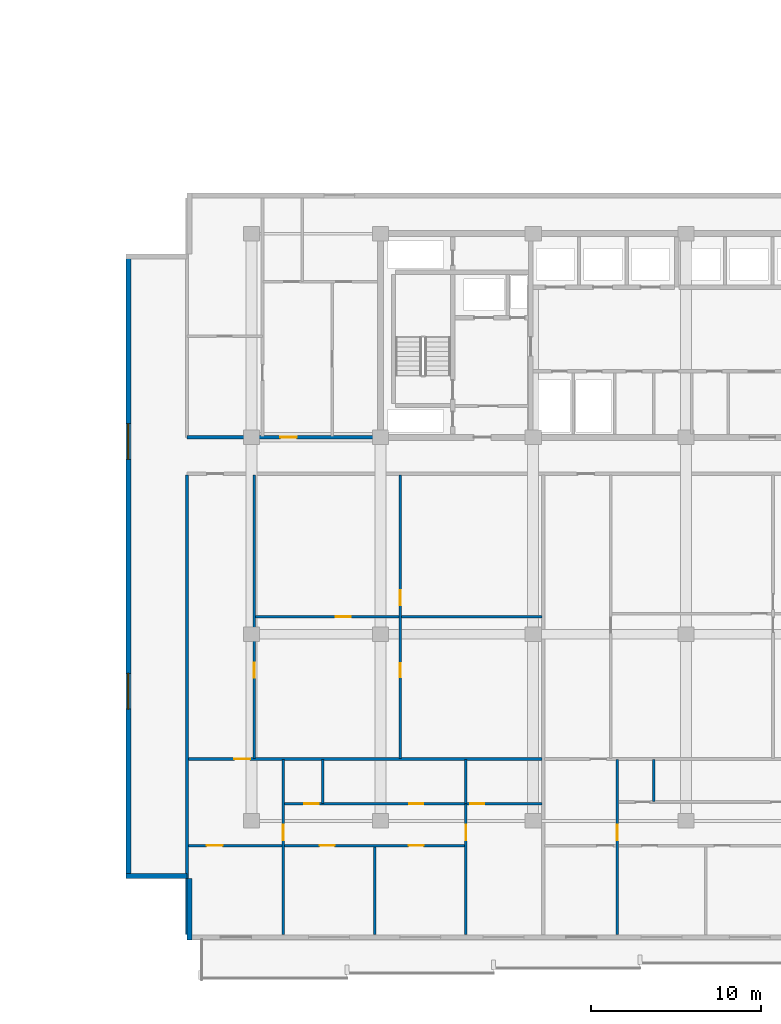
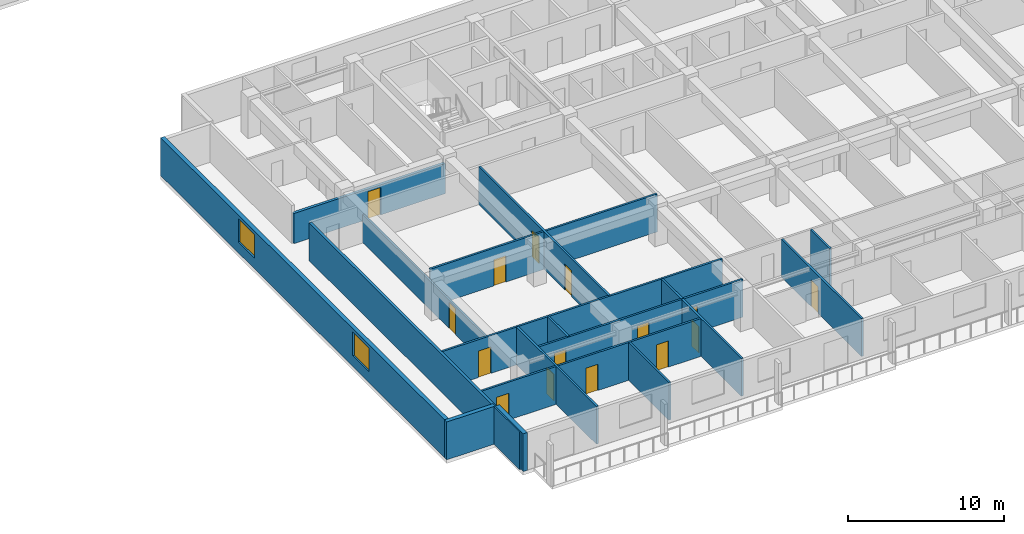
# One storey, part 3 of 23: 18 walls, 15 doors, 2 windows, 17 openings.
"""IFC4 building model written with IfcOpenShell, lengths in metres."""

from ifc_helpers import new_model, si_unit, direction, frame, frame_2d, origin, place, context, subcontext, project, spatial, rectangle, extrude, material, layer, layer_set, type_object, element, fill, save


model = new_model("IFC4")

# Units and contexts
model_context = context("Model", 3, precision=1e-05, world=origin(), true_north=direction((0.0, 1.0)))
body_context = subcontext(model_context, "Body", "Model", "MODEL_VIEW")
ifc_project = project(units=[si_unit("LENGTHUNIT", "METRE"), si_unit("AREAUNIT", "SQUARE_METRE"), si_unit("VOLUMEUNIT", "CUBIC_METRE"), si_unit("PLANEANGLEUNIT", "RADIAN"), si_unit("MASSUNIT", "GRAM", prefix="KILO")], contexts=[model_context])

# Site, building, storey
site_placement = place(None, origin())
site = spatial("IfcSite", under=ifc_project, at=site_placement, CompositionType="ELEMENT")
building_placement = place(site_placement, origin())
building = spatial("IfcBuilding", under=site, at=building_placement, Name="Korimba Cascade Residences", CompositionType="ELEMENT")
storey_placement = place(building_placement, frame((0.0, 0.0, 56.5)))
storey = spatial("IfcBuildingStorey", under=building, at=storey_placement, Name="L15", CompositionType="ELEMENT", Elevation=56.5)

# Wall, openings, windows
ifc_material_1 = material(Name="Precast concrete C40/50", Category="concrete")
ifc_layer_1 = layer(ifc_material_1, 0.300048828125)
ifc_layer_set_1 = layer_set([ifc_layer_1], Name="Precast concrete C40/50")
wall_type_1 = type_object("IfcWallType", Name="EW-STONE-300", PredefinedType="STANDARD", material=ifc_layer_set_1)
wall_1_placement = place(storey_placement, frame((67.25, 29.199951171875, 0.0), z_axis=(0.0, 0.0, 1.0), x_axis=(0.0, -1.0, 0.0)))
wall_1 = element("IfcWall", 1, at=wall_1_placement, inside=storey, type_object=wall_type_1, Name="L15 T2 Perimeter Stone Wall E09", PredefinedType="STANDARD", context=body_context, shape_type="SweptSolid", body=[
    extrude(rectangle(XDim=36.800048828125, YDim=0.300048828125, at=frame_2d((18.39990234375, 0.0))), origin(), (0.0, 0.0, 1.0), 2.969970703125),
])
opening_1_placement = place(wall_1_placement, frame((9.989990234375, 0.0, 0.85009765625)))
opening_1 = element("IfcOpeningElement", 2, at=opening_1_placement, cuts=wall_1, Name="Opening W-03", PredefinedType="OPENING", context=body_context, shape_type="SweptSolid", body=[
    extrude(rectangle(XDim=2.10009765625, YDim=1.85009765625, at=frame_2d((1.050048828125, 0.925048828125))), frame((0.0, 0.16015625, 0.0), z_axis=(0.0, -1.0, 0.0), x_axis=(1.0, 0.0, 0.0)), (0.0, 0.0, 1.0), 0.320068359375),
])
opening_2_placement = place(wall_1_placement, frame((24.7099609375, 0.0, 0.85009765625)))
opening_2 = element("IfcOpeningElement", 3, at=opening_2_placement, cuts=wall_1, Name="Opening W-03", PredefinedType="OPENING", context=body_context, shape_type="SweptSolid", body=[
    extrude(rectangle(XDim=2.10009765625, YDim=1.85009765625, at=frame_2d((1.050048828125, 0.925048828125))), frame((0.0, 0.16015625, 0.0), z_axis=(0.0, -1.0, 0.0), x_axis=(1.0, 0.0, 0.0)), (0.0, 0.0, 1.0), 0.320068359375),
])
ifc_material_2 = material(Name="Double-Glazed Aluminium Window", Category="aluminium")
window_type = type_object("IfcWindowType", Name="WIN-CRN-2100", PartitioningType="DOUBLE_PANEL_HORIZONTAL", PredefinedType="WINDOW", material=ifc_material_2)
window_1_placement = place(opening_1_placement, origin())
window_1 = element("IfcWindow", 4, at=window_1_placement, inside=storey, type_object=window_type, Name="L15 T2 End View Window 9.1", OverallHeight=1.85009765625, OverallWidth=2.10009765625, PartitioningType="DOUBLE_PANEL_HORIZONTAL", PredefinedType="WINDOW", context=body_context, shape_type="SweptSolid", body=[
    extrude(rectangle(XDim=2.10009765625, YDim=1.85009765625, at=frame_2d((1.050048828125, 0.925048828125))), frame((0.0, 0.030029296875, 0.0), z_axis=(0.0, -1.0, 0.0), x_axis=(1.0, 0.0, 0.0)), (0.0, 0.0, 1.0), 0.06005859375),
])
fill(opening_1, window_1)
window_2_placement = place(opening_2_placement, origin())
window_2 = element("IfcWindow", 5, at=window_2_placement, inside=storey, type_object=window_type, Name="L15 T2 End View Window 9.2", OverallHeight=1.85009765625, OverallWidth=2.10009765625, PartitioningType="DOUBLE_PANEL_HORIZONTAL", PredefinedType="WINDOW", context=body_context, shape_type="SweptSolid", body=[
    extrude(rectangle(XDim=2.10009765625, YDim=1.85009765625, at=frame_2d((1.050048828125, 0.925048828125))), frame((0.0, 0.030029296875, 0.0), z_axis=(0.0, -1.0, 0.0), x_axis=(1.0, 0.0, 0.0)), (0.0, 0.0, 1.0), 0.06005859375),
])
fill(opening_2, window_2)

# Walls
for number, where, z_axis, x_axis, name in (
    (6, (67.10009765625, -7.449951171875, 0.0), (0.0, 0.0, 1.0), (1.0, 0.0, 0.0), "L15 T2 Perimeter Stone Wall E10"),
    (7, (70.85009765625, -7.60009765625, 0.0), (0.0, 0.0, 1.0), (0.0, -1.0, 0.0), "L15 T2 Perimeter Stone Wall E11"),
):
    element("IfcWall", number, at=place(storey_placement, frame(where, z_axis=z_axis, x_axis=x_axis)), inside=storey, type_object=wall_type_1, Name=name, PredefinedType="STANDARD", context=body_context, shape_type="SweptSolid", body=[
        extrude(rectangle(XDim=3.599853515625, YDim=0.300048828125, at=frame_2d((1.7998046875, 0.0))), origin(), (0.0, 0.0, 1.0), 2.969970703125),
    ])

# Wall, opening, door
ifc_layer_2 = layer(ifc_material_1, 0.199951171875)
ifc_layer_set_2 = layer_set([ifc_layer_2], Name="Precast concrete C40/50")
wall_type_2 = type_object("IfcWallType", Name="WAL-IT-200", PredefinedType="PARTITIONING", material=ifc_layer_set_2)
wall_2_placement = place(storey_placement, frame((70.699951171875, 18.39990234375, 0.0), z_axis=(0.0, 0.0, 1.0), x_axis=(1.0, 0.0, 0.0)))
wall_2 = element("IfcWall", 8, at=wall_2_placement, inside=storey, type_object=wall_type_2, Name="L15 Partition Wall WAL-L15-T2-FW-S", PredefinedType="PARTITIONING", context=body_context, shape_type="SweptSolid", body=[
    extrude(rectangle(XDim=11.25, YDim=0.199951171875, at=frame_2d((5.625, 0.0))), origin(), (0.0, 0.0, 1.0), 2.3701171875),
])
opening_3_placement = place(wall_2_placement, frame((5.50634765625, 0.0, 0.0)))
opening_3 = element("IfcOpeningElement", 9, at=opening_3_placement, cuts=wall_2, Name="Opening D-UN1", PredefinedType="OPENING", context=body_context, shape_type="SweptSolid", body=[
    extrude(rectangle(XDim=0.949951171875, YDim=2.14990234375, at=frame_2d((0.47509765625, 1.074951171875))), frame((0.0, 0.10986328125, 0.0), z_axis=(0.0, -1.0, 0.0), x_axis=(1.0, 0.0, 0.0)), (0.0, 0.0, 1.0), 0.219970703125),
])
ifc_material_3 = material(Name="Fire-Rated Hardwood Apartment Entrance Door", Category="wood")
door_type_1 = type_object("IfcDoorType", Name="DR-FD60-950", OperationType="NOTDEFINED", PredefinedType="DOOR", material=ifc_material_3)
door_1_placement = place(opening_3_placement, origin())
door_1 = element("IfcDoor", 10, at=door_1_placement, inside=storey, type_object=door_type_1, Name="L15-T2-FW Entrance Door", OperationType="SINGLE_SWING_LEFT", OverallHeight=2.14990234375, OverallWidth=0.949951171875, PredefinedType="DOOR", context=body_context, shape_type="SweptSolid", body=[
    extrude(rectangle(XDim=0.949951171875, YDim=2.14990234375, at=frame_2d((0.47509765625, 1.074951171875))), frame((0.0, 0.02490234375, 0.0), z_axis=(0.0, -1.0, 0.0), x_axis=(1.0, 0.0, 0.0)), (0.0, 0.0, 1.0), 0.050048828125),
])
fill(opening_3, door_1)

# Wall
wall_3_placement = place(storey_placement, frame((70.699951171875, -10.89990234375, 0.0), z_axis=(0.0, 0.0, 1.0), x_axis=(0.0, 1.0, 0.0)))
element("IfcWall", 11, at=wall_3_placement, inside=storey, type_object=wall_type_2, Name="L15 Partition Wall WAL-L15-T2-BNDWL", PredefinedType="PARTITIONING", context=body_context, shape_type="SweptSolid", body=[
    extrude(rectangle(XDim=27.06982421875, YDim=0.199951171875, at=frame_2d((13.534912109375, 0.0))), origin(), (0.0, 0.0, 1.0), 2.969970703125),
])

# Wall, openings, doors
ifc_material_4 = material(Name="Insulated Acoustic Stud Partition", Category="gypsum")
ifc_layer_3 = layer(ifc_material_4, 0.14990234375)
ifc_layer_set_3 = layer_set([ifc_layer_3], Name="Insulated Acoustic Stud Partition")
wall_type_3 = type_object("IfcWallType", Name="WAL-PART-150", PredefinedType="PARTITIONING", material=ifc_layer_set_3)
wall_4_placement = place(storey_placement, frame((83.269287109375, -0.510009765625, 0.0), z_axis=(0.0, 0.0, 1.0), x_axis=(0.0, 1.0, 0.0)))
wall_4 = element("IfcWall", 12, at=wall_4_placement, inside=storey, type_object=wall_type_3, Name="L15 Partition Wall WAL-L15-T2-U01-FMV", PredefinedType="PARTITIONING", context=body_context, shape_type="SweptSolid", body=[
    extrude(rectangle(XDim=16.699951171875, YDim=0.14990234375, at=frame_2d((8.35009765625, 0.0))), origin(), (0.0, 0.0, 1.0), 2.969970703125),
])
opening_4_placement = place(wall_4_placement, frame((4.7724609375, 0.0, 0.0)))
opening_4 = element("IfcOpeningElement", 13, at=opening_4_placement, cuts=wall_4, Name="Opening D-BT1", PredefinedType="OPENING", context=body_context, shape_type="SweptSolid", body=[
    extrude(rectangle(XDim=0.840087890625, YDim=2.0400390625, at=frame_2d((0.419921875, 1.02001953125))), frame((0.0, 0.0849609375, 0.0), z_axis=(0.0, -1.0, 0.0), x_axis=(1.0, 0.0, 0.0)), (0.0, 0.0, 1.0), 0.169921875),
])
opening_5_placement = place(wall_4_placement, frame((9.01220703125, 0.0, 0.0)))
opening_5 = element("IfcOpeningElement", 14, at=opening_5_placement, cuts=wall_4, Name="Opening D-IN2", PredefinedType="OPENING", context=body_context, shape_type="SweptSolid", body=[
    extrude(rectangle(XDim=0.8798828125, YDim=2.06005859375, at=frame_2d((0.43994140625, 1.030029296875))), frame((0.0, 0.0849609375, 0.0), z_axis=(0.0, -1.0, 0.0), x_axis=(1.0, 0.0, 0.0)), (0.0, 0.0, 1.0), 0.169921875),
])
ifc_material_5 = material(Name="Moisture-Resistant Bathroom Timber Door", Category="wood")
door_type_2 = type_object("IfcDoorType", Name="DR-INT-850", OperationType="NOTDEFINED", PredefinedType="DOOR", material=ifc_material_5)
door_2_placement = place(opening_4_placement, origin())
door_2 = element("IfcDoor", 15, at=door_2_placement, inside=storey, type_object=door_type_2, Name="L15-T2-U01 Wardrobe Door", OperationType="SINGLE_SWING_RIGHT", OverallHeight=2.0400390625, OverallWidth=0.840087890625, PredefinedType="DOOR", context=body_context, shape_type="SweptSolid", body=[
    extrude(rectangle(XDim=0.840087890625, YDim=2.0400390625, at=frame_2d((0.419921875, 1.02001953125))), frame((0.0, 0.02490234375, 0.0), z_axis=(0.0, -1.0, 0.0), x_axis=(1.0, 0.0, 0.0)), (0.0, 0.0, 1.0), 0.050048828125),
])
fill(opening_4, door_2)
ifc_material_6 = material(Name="Acoustic Timber Bedroom Door", Category="wood")
door_type_3 = type_object("IfcDoorType", Name="DR-INT-880", OperationType="NOTDEFINED", PredefinedType="DOOR", material=ifc_material_6)
door_3_placement = place(opening_5_placement, origin())
door_3 = element("IfcDoor", 16, at=door_3_placement, inside=storey, type_object=door_type_3, Name="L15-T2-U01 Music Lounge Door", OperationType="SINGLE_SWING_LEFT", OverallHeight=2.06005859375, OverallWidth=0.8798828125, PredefinedType="DOOR", context=body_context, shape_type="SweptSolid", body=[
    extrude(rectangle(XDim=0.8798828125, YDim=2.06005859375, at=frame_2d((0.43994140625, 1.030029296875))), frame((0.0, 0.02490234375, 0.0), z_axis=(0.0, -1.0, 0.0), x_axis=(1.0, 0.0, 0.0)), (0.0, 0.0, 1.0), 0.050048828125),
])
fill(opening_5, door_3)

# Wall, opening, door
wall_5_placement = place(storey_placement, frame((74.72998046875, 7.840087890625, 0.0), z_axis=(0.0, 0.0, 1.0), x_axis=(1.0, 0.0, 0.0)))
wall_5 = element("IfcWall", 17, at=wall_5_placement, inside=storey, type_object=wall_type_3, Name="L15 Partition Wall WAL-L15-T2-U01-FMH", PredefinedType="PARTITIONING", context=body_context, shape_type="SweptSolid", body=[
    extrude(rectangle(XDim=16.87841796875, YDim=0.14990234375, at=frame_2d((8.439208984375, 0.0))), origin(), (0.0, 0.0, 1.0), 2.969970703125),
])
opening_6_placement = place(wall_5_placement, frame((4.745361328125, 0.0, 0.0)))
opening_6 = element("IfcOpeningElement", 18, at=opening_6_placement, cuts=wall_5, Name="Opening D-IN2", PredefinedType="OPENING", context=body_context, shape_type="SweptSolid", body=[
    extrude(rectangle(XDim=0.8798828125, YDim=2.06005859375, at=frame_2d((0.43994140625, 1.030029296875))), frame((0.0, 0.0849609375, 0.0), z_axis=(0.0, -1.0, 0.0), x_axis=(1.0, 0.0, 0.0)), (0.0, 0.0, 1.0), 0.169921875),
])
door_4_placement = place(opening_6_placement, origin())
door_4 = element("IfcDoor", 19, at=door_4_placement, inside=storey, type_object=door_type_3, Name="L15-T2-U01 Library Salon Door", OperationType="SINGLE_SWING_RIGHT", OverallHeight=2.06005859375, OverallWidth=0.8798828125, PredefinedType="DOOR", context=body_context, shape_type="SweptSolid", body=[
    extrude(rectangle(XDim=0.8798828125, YDim=2.06005859375, at=frame_2d((0.43994140625, 1.030029296875))), frame((0.0, 0.02490234375, 0.0), z_axis=(0.0, -1.0, 0.0), x_axis=(1.0, 0.0, 0.0)), (0.0, 0.0, 1.0), 0.050048828125),
])
fill(opening_6, door_4)

wall_6_placement = place(storey_placement, frame((74.669921875, -0.510009765625, 0.0), z_axis=(0.0, 0.0, 1.0), x_axis=(0.0, 1.0, 0.0)))
wall_6 = element("IfcWall", 20, at=wall_6_placement, inside=storey, type_object=wall_type_3, Name="L15 Partition Wall WAL-L15-T2-U01-FV", PredefinedType="PARTITIONING", context=body_context, shape_type="SweptSolid", body=[
    extrude(rectangle(XDim=16.699951171875, YDim=0.14990234375, at=frame_2d((8.35009765625, 0.0))), origin(), (0.0, 0.0, 1.0), 2.219970703125),
])
opening_7_placement = place(wall_6_placement, frame((4.746826171875, 0.0, 0.0)))
opening_7 = element("IfcOpeningElement", 21, at=opening_7_placement, cuts=wall_6, Name="Opening D-IN2", PredefinedType="OPENING", context=body_context, shape_type="SweptSolid", body=[
    extrude(rectangle(XDim=0.8798828125, YDim=2.06005859375, at=frame_2d((0.43994140625, 1.030029296875))), frame((0.0, 0.0849609375, 0.0), z_axis=(0.0, -1.0, 0.0), x_axis=(1.0, 0.0, 0.0)), (0.0, 0.0, 1.0), 0.169921875),
])
door_5_placement = place(opening_7_placement, origin())
door_5 = element("IfcDoor", 22, at=door_5_placement, inside=storey, type_object=door_type_3, Name="L15-T2-U01 Media Lounge Door", OperationType="SINGLE_SWING_LEFT", OverallHeight=2.06005859375, OverallWidth=0.8798828125, PredefinedType="DOOR", context=body_context, shape_type="SweptSolid", body=[
    extrude(rectangle(XDim=0.8798828125, YDim=2.06005859375, at=frame_2d((0.43994140625, 1.030029296875))), frame((0.0, 0.02490234375, 0.0), z_axis=(0.0, -1.0, 0.0), x_axis=(1.0, 0.0, 0.0)), (0.0, 0.0, 1.0), 0.050048828125),
])
fill(opening_7, door_5)

# Walls
wall_7_placement = place(storey_placement, frame((78.68994140625, -3.169921875, 0.0), z_axis=(0.0, 0.0, 1.0), x_axis=(0.0, 1.0, 0.0)))
element("IfcWall", 23, at=wall_7_placement, inside=storey, type_object=wall_type_3, Name="L15 Partition Wall WAL-L15-T2-U01-VDRS", PredefinedType="PARTITIONING", context=body_context, shape_type="SweptSolid", body=[
    extrude(rectangle(XDim=2.579833984375, YDim=0.14990234375, at=frame_2d((1.2900390625, 0.0))), origin(), (0.0, 0.0, 1.0), 2.969970703125),
])
wall_8_placement = place(storey_placement, frame((81.75927734375, -10.89990234375, 0.0), z_axis=(0.0, 0.0, 1.0), x_axis=(0.0, 1.0, 0.0)))
element("IfcWall", 24, at=wall_8_placement, inside=storey, type_object=wall_type_3, Name="L15 Partition Wall WAL-L15-T2-U01-VB3", PredefinedType="PARTITIONING", context=body_context, shape_type="SweptSolid", body=[
    extrude(rectangle(XDim=5.169921875, YDim=0.14990234375, at=frame_2d((2.5849609375, 0.0))), origin(), (0.0, 0.0, 1.0), 2.969970703125),
])

# Wall, opening, door
wall_9_placement = place(storey_placement, frame((76.3798828125, -10.89990234375, 0.0), z_axis=(0.0, 0.0, 1.0), x_axis=(0.0, 1.0, 0.0)))
wall_9 = element("IfcWall", 25, at=wall_9_placement, inside=storey, type_object=wall_type_3, Name="L15 Partition Wall WAL-L15-T2-U01-V1", PredefinedType="PARTITIONING", context=body_context, shape_type="SweptSolid", body=[
    extrude(rectangle(XDim=10.309814453125, YDim=0.14990234375, at=frame_2d((5.15478515625, 0.0))), origin(), (0.0, 0.0, 1.0), 2.969970703125),
])
opening_8_placement = place(wall_9_placement, frame((5.570068359375, 0.0, 0.0)))
opening_8 = element("IfcOpeningElement", 26, at=opening_8_placement, cuts=wall_9, Name="Opening D-IN1", PredefinedType="OPENING", context=body_context, shape_type="SweptSolid", body=[
    extrude(rectangle(XDim=0.919921875, YDim=2.080078125, at=frame_2d((0.4599609375, 1.0400390625))), frame((0.0, 0.0849609375, 0.0), z_axis=(0.0, -1.0, 0.0), x_axis=(1.0, 0.0, 0.0)), (0.0, 0.0, 1.0), 0.169921875),
])
ifc_material_7 = material(Name="Acoustic Timber Living Door", Category="wood")
door_type_4 = type_object("IfcDoorType", Name="DR-INT-920", OperationType="NOTDEFINED", PredefinedType="DOOR", material=ifc_material_7)
door_6_placement = place(opening_8_placement, origin())
door_6 = element("IfcDoor", 27, at=door_6_placement, inside=storey, type_object=door_type_4, Name="L15-T2-U01 Hallway Door", OperationType="SINGLE_SWING_RIGHT", OverallHeight=2.080078125, OverallWidth=0.919921875, PredefinedType="DOOR", context=body_context, shape_type="SweptSolid", body=[
    extrude(rectangle(XDim=0.919921875, YDim=2.080078125, at=frame_2d((0.4599609375, 1.0400390625))), frame((0.0, 0.02490234375, 0.0), z_axis=(0.0, -1.0, 0.0), x_axis=(1.0, 0.0, 0.0)), (0.0, 0.0, 1.0), 0.050048828125),
])
fill(opening_8, door_6)

# Wall
wall_10_placement = place(storey_placement, frame((87.138427734375, -3.169921875, 0.0), z_axis=(0.0, 0.0, 1.0), x_axis=(0.0, 1.0, 0.0)))
element("IfcWall", 28, at=wall_10_placement, inside=storey, type_object=wall_type_3, Name="L15 Partition Wall WAL-L15-T2-U01-VBATH", PredefinedType="PARTITIONING", context=body_context, shape_type="SweptSolid", body=[
    extrude(rectangle(XDim=2.579833984375, YDim=0.14990234375, at=frame_2d((1.2900390625, 0.0))), origin(), (0.0, 0.0, 1.0), 2.969970703125),
])

# Wall, opening, door
wall_11_placement = place(storey_placement, frame((87.138427734375, -10.89990234375, 0.0), z_axis=(0.0, 0.0, 1.0), x_axis=(0.0, 1.0, 0.0)))
wall_11 = element("IfcWall", 29, at=wall_11_placement, inside=storey, type_object=wall_type_3, Name="L15 Partition Wall WAL-L15-T2-U01-V2FULL", PredefinedType="PARTITIONING", context=body_context, shape_type="SweptSolid", body=[
    extrude(rectangle(XDim=7.68994140625, YDim=0.14990234375, at=frame_2d((3.844970703125, 0.0))), origin(), (0.0, 0.0, 1.0), 2.969970703125),
])
opening_9_placement = place(wall_11_placement, frame((5.570068359375, 0.0, 0.0)))
opening_9 = element("IfcOpeningElement", 30, at=opening_9_placement, cuts=wall_11, Name="Opening D-IN1", PredefinedType="OPENING", context=body_context, shape_type="SweptSolid", body=[
    extrude(rectangle(XDim=0.919921875, YDim=2.080078125, at=frame_2d((0.4599609375, 1.0400390625))), frame((0.0, 0.0849609375, 0.0), z_axis=(0.0, -1.0, 0.0), x_axis=(1.0, 0.0, 0.0)), (0.0, 0.0, 1.0), 0.169921875),
])
door_7_placement = place(opening_9_placement, origin())
door_7 = element("IfcDoor", 31, at=door_7_placement, inside=storey, type_object=door_type_4, Name="L15-T2-U01 Master Bedroom Door", OperationType="SINGLE_SWING_LEFT", OverallHeight=2.080078125, OverallWidth=0.919921875, PredefinedType="DOOR", context=body_context, shape_type="SweptSolid", body=[
    extrude(rectangle(XDim=0.919921875, YDim=2.080078125, at=frame_2d((0.4599609375, 1.0400390625))), frame((0.0, 0.02490234375, 0.0), z_axis=(0.0, -1.0, 0.0), x_axis=(1.0, 0.0, 0.0)), (0.0, 0.0, 1.0), 0.050048828125),
])
fill(opening_9, door_7)

# Wall, openings, doors
wall_12_placement = place(storey_placement, frame((76.419921875, -3.18994140625, 0.0), z_axis=(0.0, 0.0, 1.0), x_axis=(1.0, 0.0, 0.0)))
wall_12 = element("IfcWall", 32, at=wall_12_placement, inside=storey, type_object=wall_type_3, Name="L15 Partition Wall WAL-L15-T2-U01-HWALL", PredefinedType="PARTITIONING", context=body_context, shape_type="SweptSolid", body=[
    extrude(rectangle(XDim=15.1884765625, YDim=0.14990234375, at=frame_2d((7.59423828125, 0.0))), origin(), (0.0, 0.0, 1.0), 2.969970703125),
])
opening_10_placement = place(wall_12_placement, frame((1.19091796875, 0.0, 0.0)))
opening_10 = element("IfcOpeningElement", 33, at=opening_10_placement, cuts=wall_12, Name="Opening D-BT1", PredefinedType="OPENING", context=body_context, shape_type="SweptSolid", body=[
    extrude(rectangle(XDim=0.840087890625, YDim=2.0400390625, at=frame_2d((0.419921875, 1.02001953125))), frame((0.0, 0.0849609375, 0.0), z_axis=(0.0, -1.0, 0.0), x_axis=(1.0, 0.0, 0.0)), (0.0, 0.0, 1.0), 0.169921875),
])
opening_11_placement = place(wall_12_placement, frame((7.364501953125, 0.0, 0.0)))
opening_11 = element("IfcOpeningElement", 34, at=opening_11_placement, cuts=wall_12, Name="Opening D-BT1", PredefinedType="OPENING", context=body_context, shape_type="SweptSolid", body=[
    extrude(rectangle(XDim=0.840087890625, YDim=2.0400390625, at=frame_2d((0.419921875, 1.02001953125))), frame((0.0, 0.0849609375, 0.0), z_axis=(0.0, -1.0, 0.0), x_axis=(1.0, 0.0, 0.0)), (0.0, 0.0, 1.0), 0.169921875),
])
opening_12_placement = place(wall_12_placement, frame((10.968505859375, 0.0, 0.0)))
opening_12 = element("IfcOpeningElement", 35, at=opening_12_placement, cuts=wall_12, Name="Opening D-BT1", PredefinedType="OPENING", context=body_context, shape_type="SweptSolid", body=[
    extrude(rectangle(XDim=0.840087890625, YDim=2.0400390625, at=frame_2d((0.419921875, 1.02001953125))), frame((0.0, 0.0849609375, 0.0), z_axis=(0.0, -1.0, 0.0), x_axis=(1.0, 0.0, 0.0)), (0.0, 0.0, 1.0), 0.169921875),
])
door_8_placement = place(opening_10_placement, origin())
door_8 = element("IfcDoor", 36, at=door_8_placement, inside=storey, type_object=door_type_2, Name="L15-T2-U01 Family Bathroom Door", OperationType="SINGLE_SWING_RIGHT", OverallHeight=2.0400390625, OverallWidth=0.840087890625, PredefinedType="DOOR", context=body_context, shape_type="SweptSolid", body=[
    extrude(rectangle(XDim=0.840087890625, YDim=2.0400390625, at=frame_2d((0.419921875, 1.02001953125))), frame((0.0, 0.02490234375, 0.0), z_axis=(0.0, -1.0, 0.0), x_axis=(1.0, 0.0, 0.0)), (0.0, 0.0, 1.0), 0.050048828125),
])
fill(opening_10, door_8)
door_9_placement = place(opening_11_placement, origin())
door_9 = element("IfcDoor", 37, at=door_9_placement, inside=storey, type_object=door_type_2, Name="L15-T2-U01 Dressing Room Door", OperationType="SINGLE_SWING_LEFT", OverallHeight=2.0400390625, OverallWidth=0.840087890625, PredefinedType="DOOR", context=body_context, shape_type="SweptSolid", body=[
    extrude(rectangle(XDim=0.840087890625, YDim=2.0400390625, at=frame_2d((0.419921875, 1.02001953125))), frame((0.0, 0.02490234375, 0.0), z_axis=(0.0, -1.0, 0.0), x_axis=(1.0, 0.0, 0.0)), (0.0, 0.0, 1.0), 0.050048828125),
])
fill(opening_11, door_9)
door_10_placement = place(opening_12_placement, origin())
door_10 = element("IfcDoor", 38, at=door_10_placement, inside=storey, type_object=door_type_2, Name="L15-T2-U01 En-Suite Door", OperationType="SINGLE_SWING_RIGHT", OverallHeight=2.0400390625, OverallWidth=0.840087890625, PredefinedType="DOOR", context=body_context, shape_type="SweptSolid", body=[
    extrude(rectangle(XDim=0.840087890625, YDim=2.0400390625, at=frame_2d((0.419921875, 1.02001953125))), frame((0.0, 0.02490234375, 0.0), z_axis=(0.0, -1.0, 0.0), x_axis=(1.0, 0.0, 0.0)), (0.0, 0.0, 1.0), 0.050048828125),
])
fill(opening_12, door_10)

# Wall, opening, door
wall_13_placement = place(storey_placement, frame((70.780029296875, -0.550048828125, 0.0), z_axis=(0.0, 0.0, 1.0), x_axis=(1.0, 0.0, 0.0)))
wall_13 = element("IfcWall", 39, at=wall_13_placement, inside=storey, type_object=wall_type_3, Name="L15 Partition Wall WAL-L15-T2-U01-MW", PredefinedType="PARTITIONING", context=body_context, shape_type="SweptSolid", body=[
    extrude(rectangle(XDim=20.828369140625, YDim=0.14990234375, at=frame_2d((10.4140625, 0.0))), origin(), (0.0, 0.0, 1.0), 2.969970703125),
])
opening_13_placement = place(wall_13_placement, frame((2.719970703125, 0.0, 0.0)))
opening_13 = element("IfcOpeningElement", 40, at=opening_13_placement, cuts=wall_13, Name="Opening D-IN1", PredefinedType="OPENING", context=body_context, shape_type="SweptSolid", body=[
    extrude(rectangle(XDim=0.919921875, YDim=2.080078125, at=frame_2d((0.4599609375, 1.0400390625))), frame((0.0, 0.0849609375, 0.0), z_axis=(0.0, -1.0, 0.0), x_axis=(1.0, 0.0, 0.0)), (0.0, 0.0, 1.0), 0.169921875),
])
door_11_placement = place(opening_13_placement, origin())
door_11 = element("IfcDoor", 41, at=door_11_placement, inside=storey, type_object=door_type_4, Name="L15-T2-U01 Kitchen Door", OperationType="SINGLE_SWING_LEFT", OverallHeight=2.080078125, OverallWidth=0.919921875, PredefinedType="DOOR", context=body_context, shape_type="SweptSolid", body=[
    extrude(rectangle(XDim=0.919921875, YDim=2.080078125, at=frame_2d((0.4599609375, 1.0400390625))), frame((0.0, 0.02490234375, 0.0), z_axis=(0.0, -1.0, 0.0), x_axis=(1.0, 0.0, 0.0)), (0.0, 0.0, 1.0), 0.050048828125),
])
fill(opening_13, door_11)

# Wall, openings, doors
wall_14_placement = place(storey_placement, frame((70.780029296875, -5.64990234375, 0.0), z_axis=(0.0, 0.0, 1.0), x_axis=(1.0, 0.0, 0.0)))
wall_14 = element("IfcWall", 42, at=wall_14_placement, inside=storey, type_object=wall_type_3, Name="L15 Partition Wall WAL-L15-T2-U01-HZ", PredefinedType="PARTITIONING", context=body_context, shape_type="SweptSolid", body=[
    extrude(rectangle(XDim=16.3583984375, YDim=0.14990234375, at=frame_2d((8.17919921875, 0.0))), origin(), (0.0, 0.0, 1.0), 2.969970703125),
])
opening_14_placement = place(wall_14_placement, frame((1.08203125, 0.0, 0.0)))
opening_14 = element("IfcOpeningElement", 43, at=opening_14_placement, cuts=wall_14, Name="Opening D-IN0", PredefinedType="OPENING", context=body_context, shape_type="SweptSolid", body=[
    extrude(rectangle(XDim=0.93994140625, YDim=2.10009765625, at=frame_2d((0.469970703125, 1.050048828125))), frame((0.0, 0.0849609375, 0.0), z_axis=(0.0, -1.0, 0.0), x_axis=(1.0, 0.0, 0.0)), (0.0, 0.0, 1.0), 0.169921875),
])
opening_15_placement = place(wall_14_placement, frame((7.7392578125, 0.0, 0.0)))
opening_15 = element("IfcOpeningElement", 44, at=opening_15_placement, cuts=wall_14, Name="Opening D-IN2", PredefinedType="OPENING", context=body_context, shape_type="SweptSolid", body=[
    extrude(rectangle(XDim=0.8798828125, YDim=2.06005859375, at=frame_2d((0.43994140625, 1.030029296875))), frame((0.0, 0.0849609375, 0.0), z_axis=(0.0, -1.0, 0.0), x_axis=(1.0, 0.0, 0.0)), (0.0, 0.0, 1.0), 0.169921875),
])
opening_16_placement = place(wall_14_placement, frame((12.9853515625, 0.0, 0.0)))
opening_16 = element("IfcOpeningElement", 45, at=opening_16_placement, cuts=wall_14, Name="Opening D-IN2", PredefinedType="OPENING", context=body_context, shape_type="SweptSolid", body=[
    extrude(rectangle(XDim=0.8798828125, YDim=2.06005859375, at=frame_2d((0.43994140625, 1.030029296875))), frame((0.0, 0.0849609375, 0.0), z_axis=(0.0, -1.0, 0.0), x_axis=(1.0, 0.0, 0.0)), (0.0, 0.0, 1.0), 0.169921875),
])
door_12_placement = place(opening_15_placement, origin())
door_12 = element("IfcDoor", 46, at=door_12_placement, inside=storey, type_object=door_type_3, Name="L15-T2-U01 Bedroom 2 Door", OperationType="SINGLE_SWING_LEFT", OverallHeight=2.06005859375, OverallWidth=0.8798828125, PredefinedType="DOOR", context=body_context, shape_type="SweptSolid", body=[
    extrude(rectangle(XDim=0.8798828125, YDim=2.06005859375, at=frame_2d((0.43994140625, 1.030029296875))), frame((0.0, 0.02490234375, 0.0), z_axis=(0.0, -1.0, 0.0), x_axis=(1.0, 0.0, 0.0)), (0.0, 0.0, 1.0), 0.050048828125),
])
fill(opening_15, door_12)
door_13_placement = place(opening_16_placement, origin())
door_13 = element("IfcDoor", 47, at=door_13_placement, inside=storey, type_object=door_type_3, Name="L15-T2-U01 Bedroom 3 Door", OperationType="SINGLE_SWING_RIGHT", OverallHeight=2.06005859375, OverallWidth=0.8798828125, PredefinedType="DOOR", context=body_context, shape_type="SweptSolid", body=[
    extrude(rectangle(XDim=0.8798828125, YDim=2.06005859375, at=frame_2d((0.43994140625, 1.030029296875))), frame((0.0, 0.02490234375, 0.0), z_axis=(0.0, -1.0, 0.0), x_axis=(1.0, 0.0, 0.0)), (0.0, 0.0, 1.0), 0.050048828125),
])
fill(opening_16, door_13)
ifc_material_8 = material(Name="Acoustic Timber Living Archway Door", Category="wood")
door_type_5 = type_object("IfcDoorType", Name="DR-INT-950", OperationType="NOTDEFINED", PredefinedType="DOOR", material=ifc_material_8)
door_14_placement = place(opening_14_placement, origin())
door_14 = element("IfcDoor", 48, at=door_14_placement, inside=storey, type_object=door_type_5, Name="L15-T2-U01 Living Room Door", OperationType="SINGLE_SWING_RIGHT", OverallHeight=2.10009765625, OverallWidth=0.93994140625, PredefinedType="DOOR", context=body_context, shape_type="SweptSolid", body=[
    extrude(rectangle(XDim=0.93994140625, YDim=2.10009765625, at=frame_2d((0.469970703125, 1.050048828125))), frame((0.0, 0.02490234375, 0.0), z_axis=(0.0, -1.0, 0.0), x_axis=(1.0, 0.0, 0.0)), (0.0, 0.0, 1.0), 0.050048828125),
])
fill(opening_14, door_14)

# Wall
wall_15_placement = place(storey_placement, frame((98.20849609375, -3.06005859375, 0.0), z_axis=(0.0, 0.0, 1.0), x_axis=(0.0, 1.0, 0.0)))
element("IfcWall", 49, at=wall_15_placement, inside=storey, type_object=wall_type_3, Name="L15 Partition Wall WAL-L15-T2-U02-VDRS", PredefinedType="PARTITIONING", context=body_context, shape_type="SweptSolid", body=[
    extrude(rectangle(XDim=2.469970703125, YDim=0.14990234375, at=frame_2d((1.23486328125, 0.0))), origin(), (0.0, 0.0, 1.0), 2.969970703125),
])

# Wall, opening, door
wall_16_placement = place(storey_placement, frame((96.05859375, -10.89990234375, 0.0), z_axis=(0.0, 0.0, 1.0), x_axis=(0.0, 1.0, 0.0)))
wall_16 = element("IfcWall", 50, at=wall_16_placement, inside=storey, type_object=wall_type_3, Name="L15 Partition Wall WAL-L15-T2-U02-V1", PredefinedType="PARTITIONING", context=body_context, shape_type="SweptSolid", body=[
    extrude(rectangle(XDim=10.309814453125, YDim=0.14990234375, at=frame_2d((5.15478515625, 0.0))), origin(), (0.0, 0.0, 1.0), 2.969970703125),
])
opening_17_placement = place(wall_16_placement, frame((5.570068359375, 0.0, 0.0)))
opening_17 = element("IfcOpeningElement", 51, at=opening_17_placement, cuts=wall_16, Name="Opening D-IN1", PredefinedType="OPENING", context=body_context, shape_type="SweptSolid", body=[
    extrude(rectangle(XDim=0.919921875, YDim=2.080078125, at=frame_2d((0.4599609375, 1.0400390625))), frame((0.0, 0.0849609375, 0.0), z_axis=(0.0, -1.0, 0.0), x_axis=(1.0, 0.0, 0.0)), (0.0, 0.0, 1.0), 0.169921875),
])
door_15_placement = place(opening_17_placement, origin())
door_15 = element("IfcDoor", 52, at=door_15_placement, inside=storey, type_object=door_type_4, Name="L15-T2-U02 Hallway Door", OperationType="SINGLE_SWING_LEFT", OverallHeight=2.080078125, OverallWidth=0.919921875, PredefinedType="DOOR", context=body_context, shape_type="SweptSolid", body=[
    extrude(rectangle(XDim=0.919921875, YDim=2.080078125, at=frame_2d((0.4599609375, 1.0400390625))), frame((0.0, 0.02490234375, 0.0), z_axis=(0.0, -1.0, 0.0), x_axis=(1.0, 0.0, 0.0)), (0.0, 0.0, 1.0), 0.050048828125),
])
fill(opening_17, door_15)

save(model, "model.ifc")
